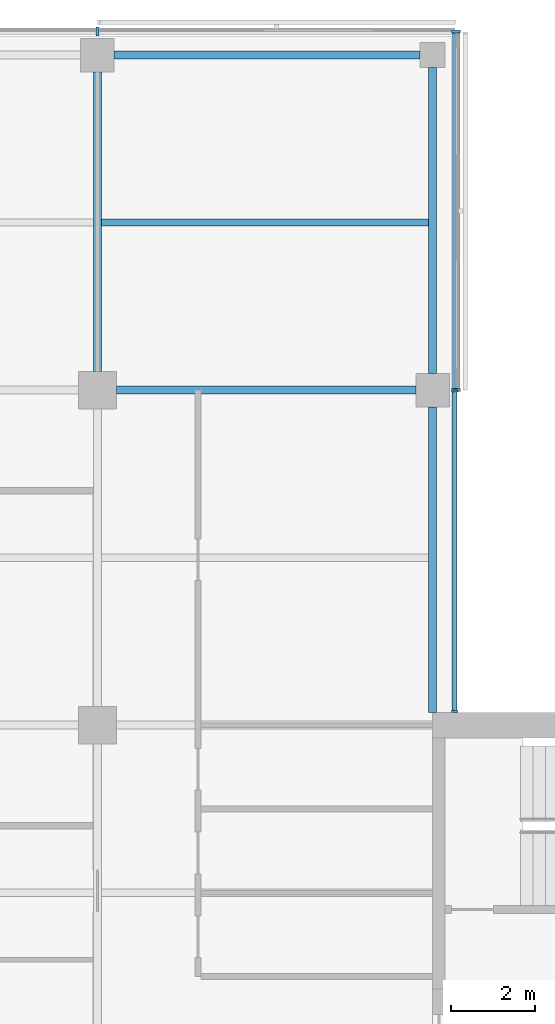
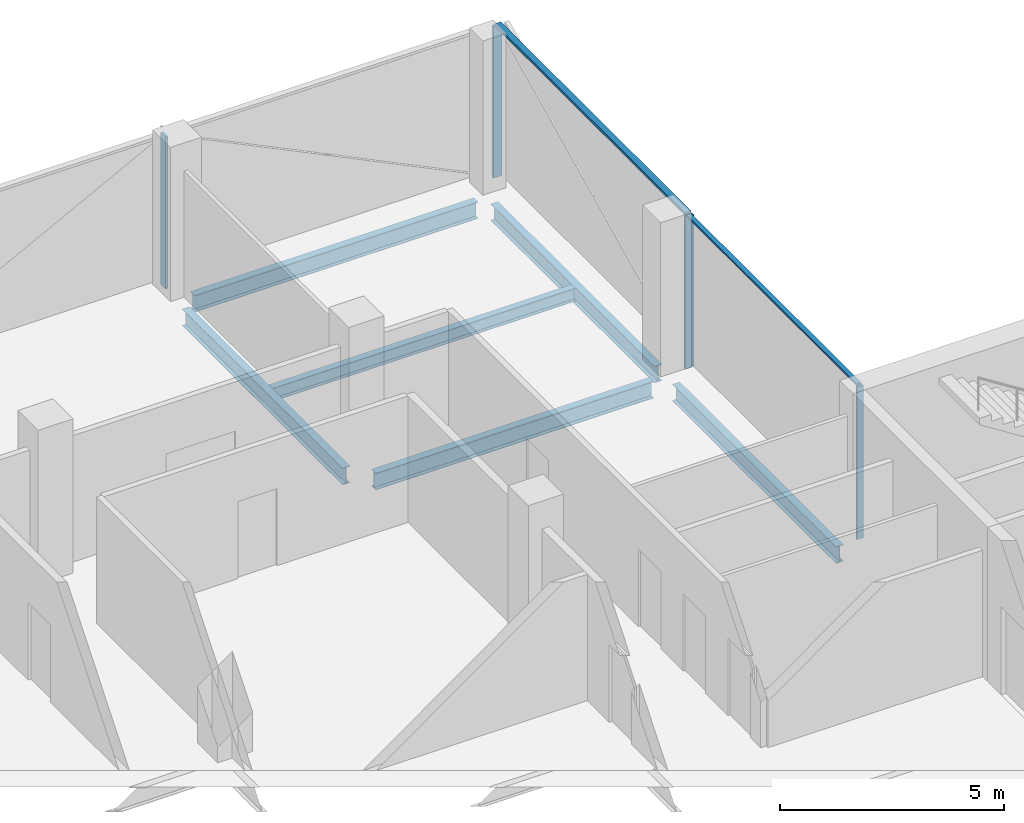
# One storey, part 7 of 15: 7 members, 6 beams, 3 elements without a shape of their own.
"""IFC4 building model written with IfcOpenShell, lengths in metres."""

from ifc_helpers import new_model, si_unit, direction, frame, origin, origin_2d, place, context, subcontext, project, spatial, rectangle, i_section, extrude, material, material_profile, profile_set, type_object, element, aggregate, save


model = new_model("IFC4")

# Units and contexts
model_context = context("Model", 3, precision=1e-05, world=origin(), true_north=direction((0.0, 1.0)))
body_context = subcontext(model_context, "Body", "Model", "MODEL_VIEW")
ifc_project = project(units=[si_unit("LENGTHUNIT", "METRE"), si_unit("AREAUNIT", "SQUARE_METRE"), si_unit("VOLUMEUNIT", "CUBIC_METRE"), si_unit("PLANEANGLEUNIT", "RADIAN"), si_unit("MASSUNIT", "GRAM", prefix="KILO")], contexts=[model_context])

# Site, building, storey
site_placement = place(None, origin())
site = spatial("IfcSite", under=ifc_project, at=site_placement, CompositionType="ELEMENT")
building_placement = place(site_placement, origin())
building = spatial("IfcBuilding", under=site, at=building_placement, Name="Crosswind Convention Tower", CompositionType="ELEMENT")
storey_placement = place(building_placement, frame((0.0, 0.0, 225.10009765625)))
storey = spatial("IfcBuildingStorey", under=building, at=storey_placement, Name="L48", CompositionType="ELEMENT", Elevation=225.10009765625)

# Beams
ifc_material_1 = material(Name="Steel S355", Category="steel")
ifc_material_profile_1 = material_profile(ifc_material_1, i_section(OverallWidth=0.18994140625, OverallDepth=0.45361328125, WebThickness=0.008544921875, FlangeThickness=0.0126953125, FilletRadius=0.01025390625, at=origin_2d()), Name="UB 457x191x67")
ifc_profile_set_1 = profile_set([ifc_material_profile_1], Name="Steel S355")
beam_type_1 = type_object("IfcBeamType", Name="Edge beam UB 457x191x67", PredefinedType="SPANDREL", material=ifc_profile_set_1)
for number, where, z_axis, x_axis, name in (
    (1, (129.39990234375, 128.0, -0.52685546875), (1.0, 0.0, 0.0), (0.0, 1.0, 0.0), "B16 L48 edge beam 10"),
    (2, (137.0, 112.300048828125, -0.52685546875), (0.0, 1.0, 0.0), (-1.0, 0.0, 0.0), "B16 L48 edge beam 13"),
    (3, (137.0, 120.39990234375, -0.52685546875), (0.0, 1.0, 0.0), (-1.0, 0.0, 0.0), "B16 L48 edge beam 14"),
):
    element("IfcBeam", number, at=place(storey_placement, frame(where, z_axis=z_axis, x_axis=x_axis)), inside=storey, type_object=beam_type_1, Name=name, PredefinedType="SPANDREL", context=body_context, shape_type="SweptSolid", body=[
        extrude(i_section(OverallWidth=0.18994140625, OverallDepth=0.45361328125, WebThickness=0.008544921875, FlangeThickness=0.0126953125, FilletRadius=0.01025390625, at=origin_2d()), origin(), (0.0, 0.0, 1.0), 7.300048828125),
    ])
ifc_material_profile_2 = material_profile(ifc_material_1, i_section(OverallWidth=0.1904296875, OverallDepth=0.457275390625, WebThickness=0.009033203125, FlangeThickness=0.014404296875, FilletRadius=0.01025390625, at=origin_2d()), Name="UB 457x191x75")
ifc_profile_set_2 = profile_set([ifc_material_profile_2], Name="Steel S355")
beam_type_2 = type_object("IfcBeamType", Name="Girder UB 457x191x75", PredefinedType="BEAM", material=ifc_profile_set_2)
for number, where, z_axis, x_axis, name in (
    (4, (129.0, 120.449951171875, -0.52880859375), (0.0, 1.0, 0.0), (-1.0, 0.0, 0.0), "B2 L48 girder 22"),
    (5, (129.449951171875, 120.0, -0.52880859375), (1.0, 0.0, 0.0), (0.0, 1.0, 0.0), "B2 L48 girder 24"),
):
    element("IfcBeam", number, at=place(storey_placement, frame(where, z_axis=z_axis, x_axis=x_axis)), inside=storey, type_object=beam_type_2, Name=name, PredefinedType="BEAM", context=body_context, shape_type="SweptSolid", body=[
        extrude(i_section(OverallWidth=0.1904296875, OverallDepth=0.457275390625, WebThickness=0.009033203125, FlangeThickness=0.014404296875, FilletRadius=0.01025390625, at=origin_2d()), origin(), (0.0, 0.0, 1.0), 7.150146484375),
    ])

# Curtain wall, members
ifc_material_2 = material(Name="Aluminium unitised curtain wall", Category="aluminium")
curtain_wall_type_1 = type_object("IfcCurtainWallType", Name="CORE END SLOT WALL 160", PredefinedType="USERDEFINED", material=ifc_material_2)
curtain_wall_1_placement = place(storey_placement, origin())
curtain_wall_1 = element("IfcCurtainWall", 6, at=curtain_wall_1_placement, inside=storey, type_object=curtain_wall_type_1, Name="CW6 L48 N-E.1-1 slot", ObjectType="UNITISED", PredefinedType="USERDEFINED")
ifc_material_3 = material(Name="Aluminium mullion", Category="aluminium")
ifc_material_profile_3 = material_profile(ifc_material_3, rectangle(XDim=0.159912109375, YDim=0.050048828125, at=origin_2d()), Name="AL 160X50")
ifc_profile_set_3 = profile_set([ifc_material_profile_3], Name="Aluminium mullion")
member_type_1 = type_object("IfcMemberType", Name="MULLION 50X160", PredefinedType="MULLION", material=ifc_profile_set_3)
member_1_placement = place(storey_placement, frame((137.530029296875, 112.324951171875, -0.300048828125), z_axis=(0.0, 0.0, 1.0), x_axis=(1.0, 0.0, 0.0)))
member_1 = element("IfcMember", 7, at=member_1_placement, type_object=member_type_1, Name="CW6 mullion 1", PredefinedType="MULLION", context=body_context, shape_type="SweptSolid", body=[
    extrude(rectangle(XDim=0.159912109375, YDim=0.050048828125, at=origin_2d()), origin(), (0.0, 0.0, 1.0), 4.14990234375),
])
member_2_placement = place(storey_placement, frame((137.530029296875, 119.97509765625, -0.300048828125), z_axis=(0.0, 0.0, 1.0), x_axis=(1.0, 0.0, 0.0)))
member_2 = element("IfcMember", 8, at=member_2_placement, type_object=member_type_1, Name="CW6 mullion 2", PredefinedType="MULLION", context=body_context, shape_type="SweptSolid", body=[
    extrude(rectangle(XDim=0.159912109375, YDim=0.050048828125, at=origin_2d()), origin(), (0.0, 0.0, 1.0), 4.14990234375),
])

curtain_wall_type_2 = type_object("IfcCurtainWallType", Name="OFFICE UNITISED WALL 220", PredefinedType="USERDEFINED", material=ifc_material_2)
curtain_wall_2_placement = place(storey_placement, origin())
curtain_wall_2 = element("IfcCurtainWall", 9, at=curtain_wall_2_placement, inside=storey, type_object=curtain_wall_type_2, Name="CW3 L48 N-E 1", ObjectType="UNITISED", PredefinedType="USERDEFINED")
ifc_material_profile_4 = material_profile(ifc_material_3, rectangle(XDim=0.219970703125, YDim=0.070068359375, at=origin_2d()), Name="AL 220X70")
ifc_profile_set_4 = profile_set([ifc_material_profile_4], Name="Aluminium mullion")
member_type_2 = type_object("IfcMemberType", Name="MULLION 70X220", PredefinedType="MULLION", material=ifc_profile_set_4)
member_3_placement = place(storey_placement, frame((137.56005859375, 120.0, -0.300048828125), z_axis=(0.0, 0.0, 1.0), x_axis=(1.0, 0.0, 0.0)))
member_3 = element("IfcMember", 10, at=member_3_placement, type_object=member_type_2, Name="CW3 mullion 1", PredefinedType="MULLION", context=body_context, shape_type="SweptSolid", body=[
    extrude(rectangle(XDim=0.219970703125, YDim=0.070068359375, at=origin_2d()), origin(), (0.0, 0.0, 1.0), 4.1298828125),
])
member_4_placement = place(storey_placement, frame((137.56005859375, 128.56005859375, -0.300048828125), z_axis=(0.0, 0.0, 1.0), x_axis=(1.0, 0.0, 0.0)))
member_4 = element("IfcMember", 11, at=member_4_placement, type_object=member_type_2, Name="CW3 mullion 2", PredefinedType="MULLION", context=body_context, shape_type="SweptSolid", body=[
    extrude(rectangle(XDim=0.219970703125, YDim=0.070068359375, at=origin_2d()), origin(), (0.0, 0.0, 1.0), 4.1298828125),
])

# Curtain wall, member
curtain_wall_3_placement = place(storey_placement, origin())
curtain_wall_3 = element("IfcCurtainWall", 12, at=curtain_wall_3_placement, inside=storey, type_object=curtain_wall_type_2, Name="CW3 L48 N-TIP 1", ObjectType="UNITISED", PredefinedType="USERDEFINED")
member_5_placement = place(storey_placement, frame((129.0, 128.56005859375, -0.300048828125), z_axis=(0.0, 0.0, 1.0), x_axis=(0.0, 1.0, 0.0)))
member_5 = element("IfcMember", 13, at=member_5_placement, type_object=member_type_2, Name="CW3 mullion 2", PredefinedType="MULLION", context=body_context, shape_type="SweptSolid", body=[
    extrude(rectangle(XDim=0.219970703125, YDim=0.070068359375, at=origin_2d()), origin(), (0.0, 0.0, 1.0), 4.1298828125),
])
aggregate(curtain_wall_3, [member_5])

# Beam
ifc_material_profile_5 = material_profile(ifc_material_1, i_section(OverallWidth=0.172119140625, OverallDepth=0.358642578125, WebThickness=0.008056640625, FlangeThickness=0.012939453125, FilletRadius=0.01025390625, at=origin_2d()), Name="UB 356x171x57")
ifc_profile_set_5 = profile_set([ifc_material_profile_5], Name="Steel S355")
beam_type_3 = type_object("IfcBeamType", Name="Secondary beam UB 356x171x57", PredefinedType="JOIST", material=ifc_profile_set_5)
beam_placement = place(storey_placement, frame((129.09521484375, 124.0, -0.4794921875), z_axis=(1.0, 0.0, 0.0), x_axis=(0.0, 1.0, 0.0)))
element("IfcBeam", 14, at=beam_placement, inside=storey, type_object=beam_type_3, Name="B9 L48 secondary beam 21", PredefinedType="JOIST", context=body_context, shape_type="SweptSolid", body=[
    extrude(i_section(OverallWidth=0.172119140625, OverallDepth=0.358642578125, WebThickness=0.008056640625, FlangeThickness=0.012939453125, FilletRadius=0.01025390625, at=origin_2d()), origin(), (0.0, 0.0, 1.0), 7.809814453125),
])

# Member
ifc_material_4 = material(Name="Aluminium transom", Category="aluminium")
ifc_material_profile_6 = material_profile(ifc_material_4, rectangle(XDim=0.1201171875, YDim=0.050048828125, at=origin_2d()), Name="AL 120X50")
ifc_profile_set_6 = profile_set([ifc_material_profile_6], Name="Aluminium transom")
member_type_3 = type_object("IfcMemberType", Name="TRANSOM 50X120", PredefinedType="USERDEFINED", material=ifc_profile_set_6)
member_6_placement = place(storey_placement, frame((137.530029296875, 112.35009765625, 3.875), z_axis=(0.0, 1.0, 0.0), x_axis=(-1.0, 0.0, 0.0)))
member_6 = element("IfcMember", 15, at=member_6_placement, type_object=member_type_3, Name="CW6 transom", ObjectType="TRANSOM", PredefinedType="USERDEFINED", context=body_context, shape_type="SweptSolid", body=[
    extrude(rectangle(XDim=0.1201171875, YDim=0.050048828125, at=origin_2d()), origin(), (0.0, 0.0, 1.0), 7.599853515625),
])

aggregate(curtain_wall_1, [member_1, member_2, member_6])

ifc_material_profile_7 = material_profile(ifc_material_4, rectangle(XDim=0.159912109375, YDim=0.070068359375, at=origin_2d()), Name="AL 160X70")
ifc_profile_set_7 = profile_set([ifc_material_profile_7], Name="Aluminium transom")
member_type_4 = type_object("IfcMemberType", Name="TRANSOM 70X160", PredefinedType="USERDEFINED", material=ifc_profile_set_7)
member_7_placement = place(storey_placement, frame((137.56005859375, 120.034912109375, 3.864990234375), z_axis=(0.0, 1.0, 0.0), x_axis=(-1.0, 0.0, 0.0)))
member_7 = element("IfcMember", 16, at=member_7_placement, type_object=member_type_4, Name="CW3 transom", ObjectType="TRANSOM", PredefinedType="USERDEFINED", context=body_context, shape_type="SweptSolid", body=[
    extrude(rectangle(XDim=0.159912109375, YDim=0.070068359375, at=origin_2d()), origin(), (0.0, 0.0, 1.0), 8.489990234375),
])

aggregate(curtain_wall_2, [member_3, member_4, member_7])

save(model, "model.ifc")
